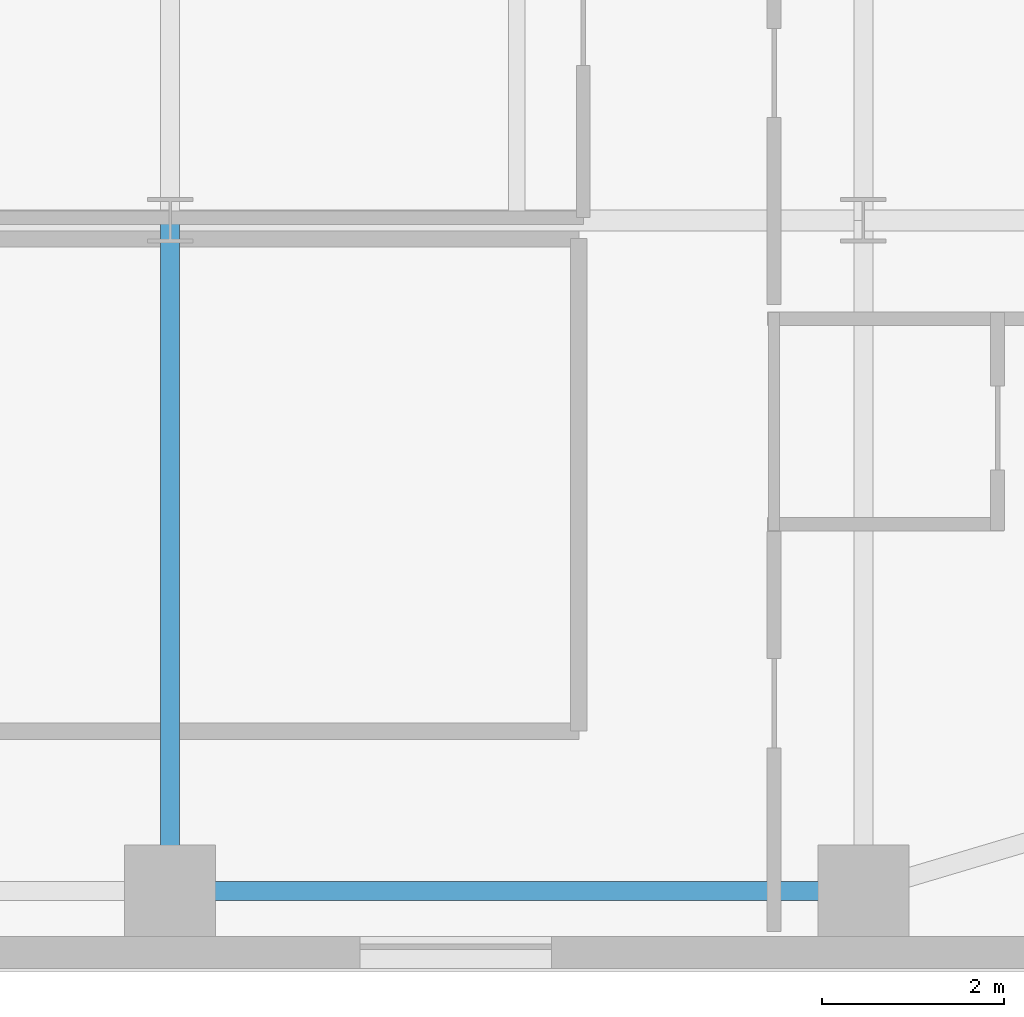
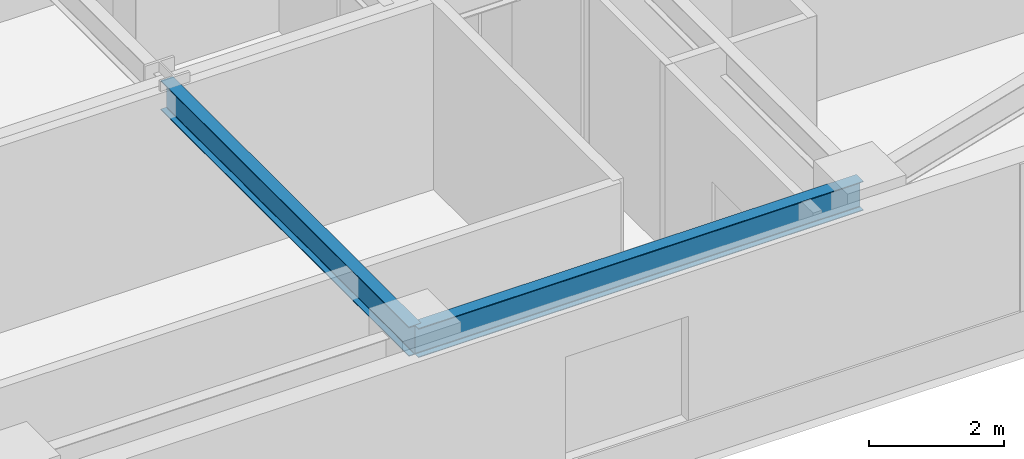
# One storey, part 9 of 31: 2 beams.
"""IFC4 building model written with IfcOpenShell, lengths in metres."""

from ifc_helpers import new_model, si_unit, direction, frame, origin, origin_2d, place, context, subcontext, project, spatial, i_section, extrude, source, transform, mapped, material, material_profile, profile_set, type_object, type_shapes, element, save


model = new_model("IFC4")

# Units and contexts
model_context = context("Model", 3, precision=1e-05, world=origin(), true_north=direction((0.0, 1.0)))
body_context = subcontext(model_context, "Body", "Model", "MODEL_VIEW")
ifc_project = project(units=[si_unit("LENGTHUNIT", "METRE"), si_unit("AREAUNIT", "SQUARE_METRE"), si_unit("VOLUMEUNIT", "CUBIC_METRE"), si_unit("PLANEANGLEUNIT", "RADIAN"), si_unit("MASSUNIT", "GRAM", prefix="KILO")], contexts=[model_context])

# Site, building, storey
site_placement = place(None, origin())
site = spatial("IfcSite", under=ifc_project, at=site_placement, CompositionType="ELEMENT")
building_placement = place(site_placement, origin())
building = spatial("IfcBuilding", under=site, at=building_placement, Name="Tolvann Quenvar Hotel", CompositionType="ELEMENT")
storey_placement = place(building_placement, frame((0.0, 0.0, 74.60009765625)))
storey = spatial("IfcBuildingStorey", under=building, at=storey_placement, Name="L18", CompositionType="ELEMENT", Elevation=74.60009765625)

# Beams
ifc_material = material(Name="Steel Grade 350", Category="steel")
ifc_material_profile_1 = material_profile(ifc_material, i_section(OverallWidth=0.208984375, OverallDepth=0.528076171875, WebThickness=0.009521484375, FlangeThickness=0.01318359375, FilletRadius=0.013916015625, at=origin_2d()), Name="530UB82")
ifc_profile_set_1 = profile_set([ifc_material_profile_1], Name="Steel Grade 350")
beam_type_1 = type_object("IfcBeamType", Name="BM_SPAND_530UB82", PredefinedType="SPANDREL", material=ifc_profile_set_1)
shared_shape_1 = source(origin(), body_context, "Body", "SweptSolid", [
    extrude(i_section(OverallWidth=0.208984375, OverallDepth=0.528076171875, WebThickness=0.009521484375, FlangeThickness=0.01318359375, FilletRadius=0.013916015625, at=origin_2d()), origin(), (0.0, 0.0, 1.0), 7.599853515625),
])
type_shapes(beam_type_1, [shared_shape_1])
beam_1_placement = place(storey_placement, frame((41.800048828125, 0.85009765625, 3.10595703125), z_axis=(1.0, 0.0, 0.0), x_axis=(0.0, 1.0, 0.0)))
element("IfcBeam", 1, at=beam_1_placement, inside=storey, type_object=beam_type_1, Name="BM-L18-EW-2-H2-I2", PredefinedType="SPANDREL", context=body_context, shape_type="MappedRepresentation", body=[
    mapped(shared_shape_1, transform((0.0, 0.0, 0.0), x_axis=(1.0, 0.0, 0.0), y_axis=(0.0, 1.0, 0.0), z_axis=(0.0, 0.0, 1.0), scale=1.0)),
])
ifc_material_profile_2 = material_profile(ifc_material, i_section(OverallWidth=0.208984375, OverallDepth=0.532958984375, WebThickness=0.01025390625, FlangeThickness=0.015625, FilletRadius=0.013916015625, at=origin_2d()), Name="530UB92")
ifc_profile_set_2 = profile_set([ifc_material_profile_2], Name="Steel Grade 350")
beam_type_2 = type_object("IfcBeamType", Name="BM_GIRD_530UB92", PredefinedType="BEAM", material=ifc_profile_set_2)
shared_shape_2 = source(origin(), body_context, "Body", "SweptSolid", [
    extrude(i_section(OverallWidth=0.208984375, OverallDepth=0.532958984375, WebThickness=0.01025390625, FlangeThickness=0.015625, FilletRadius=0.013916015625, at=origin_2d()), origin(), (0.0, 0.0, 1.0), 7.349853515625),
])
type_shapes(beam_type_2, [shared_shape_2])
beam_2_placement = place(storey_placement, frame((41.800048828125, 0.85009765625, 3.103515625), z_axis=(0.0, 1.0, 0.0), x_axis=(-1.0, 0.0, 0.0)))
element("IfcBeam", 2, at=beam_2_placement, inside=storey, type_object=beam_type_2, Name="BM-L18-NS-H2-H3", PredefinedType="BEAM", context=body_context, shape_type="MappedRepresentation", body=[
    mapped(shared_shape_2, transform((0.0, 0.0, 0.0), x_axis=(1.0, 0.0, 0.0), y_axis=(0.0, 1.0, 0.0), z_axis=(0.0, 0.0, 1.0), scale=1.0)),
])

save(model, "model.ifc")
